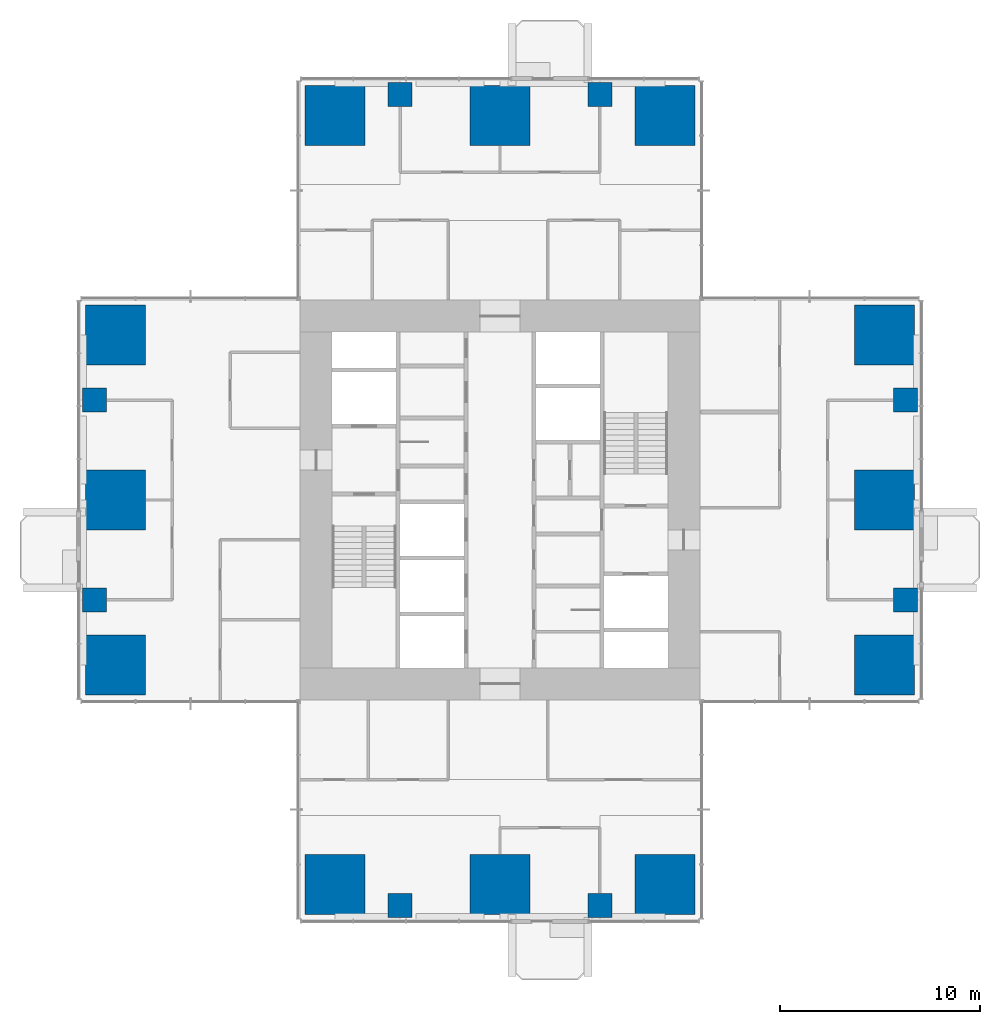
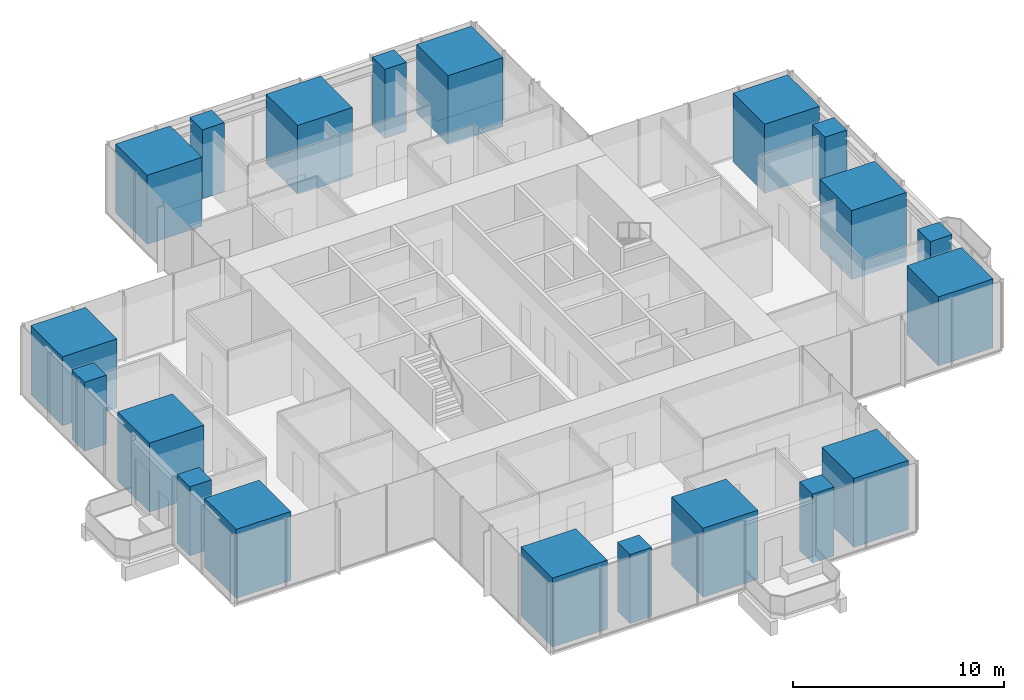
# One storey, part 1 of 14: 20 columns.
"""IFC4 building model written with IfcOpenShell, lengths in metres."""

from ifc_helpers import new_model, si_unit, direction, frame, origin, origin_2d, place, context, subcontext, project, spatial, rectangle, extrude, material, material_profile, profile_set, type_object, element, save


model = new_model("IFC4")

# Units and contexts
model_context = context("Model", 3, precision=1e-05, world=origin(), true_north=direction((0.0, 1.0)))
body_context = subcontext(model_context, "Body", "Model", "MODEL_VIEW")
ifc_project = project(units=[si_unit("LENGTHUNIT", "METRE"), si_unit("AREAUNIT", "SQUARE_METRE"), si_unit("VOLUMEUNIT", "CUBIC_METRE"), si_unit("PLANEANGLEUNIT", "RADIAN"), si_unit("MASSUNIT", "GRAM", prefix="KILO")], contexts=[model_context])

# Site, building, storey
site_placement = place(None, origin())
site = spatial("IfcSite", under=ifc_project, at=site_placement, CompositionType="ELEMENT")
building_placement = place(site_placement, origin())
building = spatial("IfcBuilding", under=site, at=building_placement, Name="Svetlomir Tower", CompositionType="ELEMENT")
storey_placement = place(building_placement, frame((0.0, 0.0, 112.5)))
storey = spatial("IfcBuildingStorey", under=building, at=storey_placement, Name="L26", CompositionType="ELEMENT", Elevation=112.5)

# Columns
ifc_material_1 = material(Name="Concrete C60/75", Category="concrete")
ifc_material_profile_1 = material_profile(ifc_material_1, rectangle(XDim=1.199951171875, YDim=1.199951171875, at=origin_2d()), Name="RC 1200x1200")
ifc_profile_set_1 = profile_set([ifc_material_profile_1], Name="Concrete C60/75")
column_type_1 = type_object("IfcColumnType", Name="COLUMN RC 1200x1200", PredefinedType="COLUMN", material=ifc_profile_set_1)
for number, where, z_axis, x_axis, name in (
    (1, (16.0, 0.699951171875, 0.0), (0.0, 0.0, 1.0), (1.0, 0.0, 0.0), "Column 16/0 L26"),
    (2, (26.0, 0.699951171875, 0.0), (0.0, 0.0, 1.0), (1.0, 0.0, 0.0), "Column 26/0 L26"),
    (3, (0.699951171875, 16.0, 0.0), (0.0, 0.0, 1.0), (1.0, 0.0, 0.0), "Column 0/16 L26"),
    (4, (41.300048828125, 16.0, 0.0), (0.0, 0.0, 1.0), (1.0, 0.0, 0.0), "Column 42/16 L26"),
    (5, (0.699951171875, 26.0, 0.0), (0.0, 0.0, 1.0), (1.0, 0.0, 0.0), "Column 0/26 L26"),
    (6, (41.300048828125, 26.0, 0.0), (0.0, 0.0, 1.0), (1.0, 0.0, 0.0), "Column 42/26 L26"),
    (7, (16.0, 41.300048828125, 0.0), (0.0, 0.0, 1.0), (1.0, 0.0, 0.0), "Column 16/42 L26"),
    (8, (26.0, 41.300048828125, 0.0), (0.0, 0.0, 1.0), (1.0, 0.0, 0.0), "Column 26/42 L26"),
):
    element("IfcColumn", number, at=place(storey_placement, frame(where, z_axis=z_axis, x_axis=x_axis)), inside=storey, type_object=column_type_1, Name=name, PredefinedType="COLUMN", context=body_context, shape_type="SweptSolid", body=[
        extrude(rectangle(XDim=1.199951171875, YDim=1.199951171875, at=origin_2d()), origin(), (0.0, 0.0, 1.0), 4.0),
    ])
ifc_material_2 = material(Name="Concrete C60/75", Category="concrete")
ifc_material_profile_2 = material_profile(ifc_material_2, rectangle(XDim=3.0, YDim=3.0, at=origin_2d()), Name="RC 3000x3000")
ifc_profile_set_2 = profile_set([ifc_material_profile_2], Name="Concrete C60/75")
column_type_2 = type_object("IfcColumnType", Name="COLUMN RC 3000x3000", PredefinedType="COLUMN", material=ifc_profile_set_2)
for number, where, z_axis, x_axis, name in (
    (9, (12.75, 1.75, 0.0), (0.0, 0.0, 1.0), (1.0, 0.0, 0.0), "Column 11/0 L26"),
    (10, (21.0, 1.75, 0.0), (0.0, 0.0, 1.0), (1.0, 0.0, 0.0), "Column 21/0 L26"),
    (11, (29.25, 1.75, 0.0), (0.0, 0.0, 1.0), (1.0, 0.0, 0.0), "Column 31/0 L26"),
    (12, (1.75, 12.75, 0.0), (0.0, 0.0, 1.0), (1.0, 0.0, 0.0), "Column 0/11 L26"),
    (13, (40.25, 12.75, 0.0), (0.0, 0.0, 1.0), (1.0, 0.0, 0.0), "Column 42/11 L26"),
    (14, (1.75, 21.0, 0.0), (0.0, 0.0, 1.0), (1.0, 0.0, 0.0), "Column 0/21 L26"),
    (15, (40.25, 21.0, 0.0), (0.0, 0.0, 1.0), (1.0, 0.0, 0.0), "Column 42/21 L26"),
    (16, (1.75, 29.25, 0.0), (0.0, 0.0, 1.0), (1.0, 0.0, 0.0), "Column 0/31 L26"),
    (17, (40.25, 29.25, 0.0), (0.0, 0.0, 1.0), (1.0, 0.0, 0.0), "Column 42/31 L26"),
    (18, (12.75, 40.25, 0.0), (0.0, 0.0, 1.0), (1.0, 0.0, 0.0), "Column 11/42 L26"),
    (19, (21.0, 40.25, 0.0), (0.0, 0.0, 1.0), (1.0, 0.0, 0.0), "Column 21/42 L26"),
    (20, (29.25, 40.25, 0.0), (0.0, 0.0, 1.0), (1.0, 0.0, 0.0), "Column 31/42 L26"),
):
    element("IfcColumn", number, at=place(storey_placement, frame(where, z_axis=z_axis, x_axis=x_axis)), inside=storey, type_object=column_type_2, Name=name, PredefinedType="COLUMN", context=body_context, shape_type="SweptSolid", body=[
        extrude(rectangle(XDim=3.0, YDim=3.0, at=origin_2d()), origin(), (0.0, 0.0, 1.0), 4.0),
    ])

save(model, "model.ifc")
